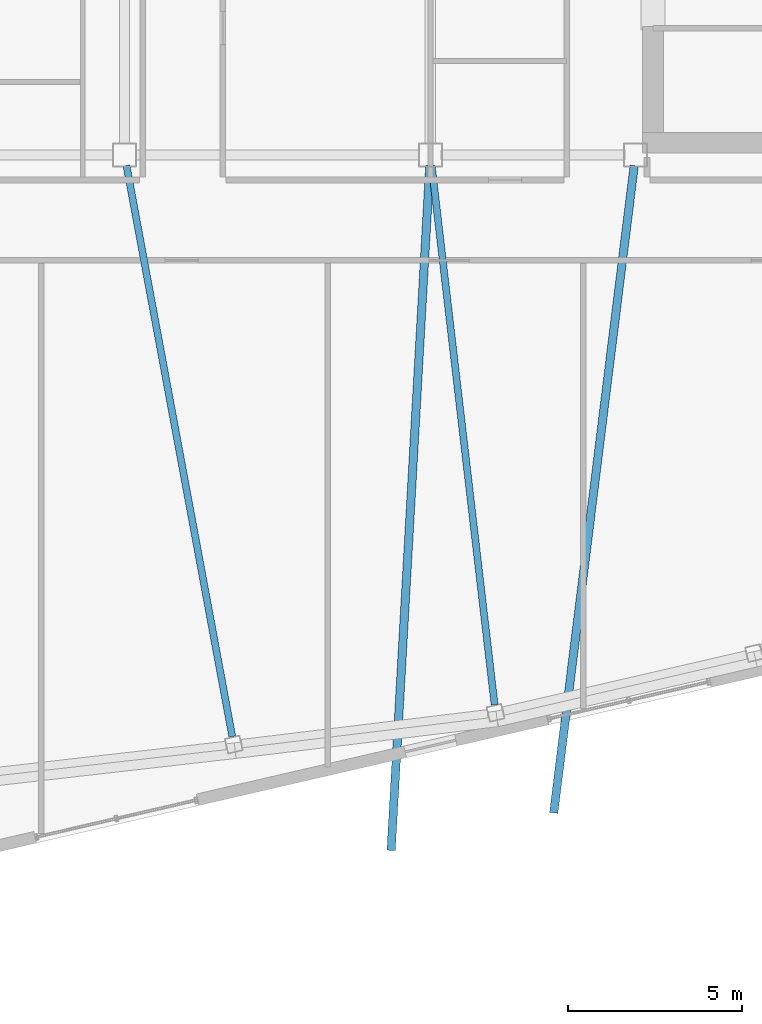
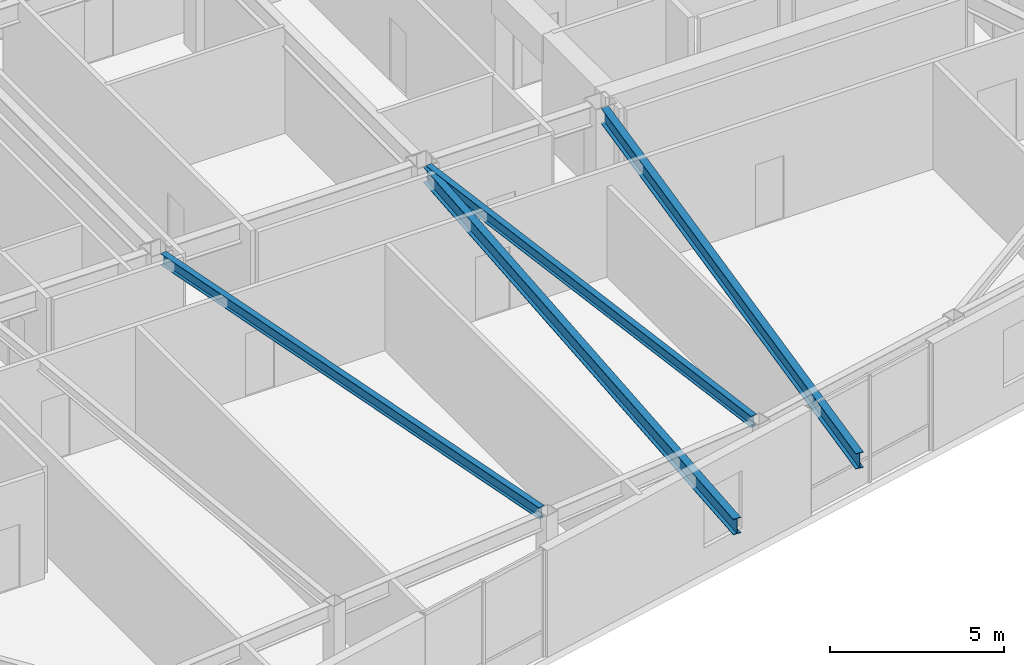
# One storey, part 9 of 24: 4 beams.
"""IFC4 building model written with IfcOpenShell, lengths in metres."""

from ifc_helpers import new_model, si_unit, direction, frame, origin, origin_2d, place, context, subcontext, project, spatial, i_section, extrude, material, material_profile, profile_set, type_object, element, save


model = new_model("IFC4")

# Units and contexts
model_context = context("Model", 3, precision=1e-05, world=origin(), true_north=direction((0.0, 1.0)))
body_context = subcontext(model_context, "Body", "Model", "MODEL_VIEW")
ifc_project = project(units=[si_unit("LENGTHUNIT", "METRE"), si_unit("AREAUNIT", "SQUARE_METRE"), si_unit("VOLUMEUNIT", "CUBIC_METRE"), si_unit("PLANEANGLEUNIT", "RADIAN"), si_unit("MASSUNIT", "GRAM", prefix="KILO")], contexts=[model_context])

# Site, building, storey
site_placement = place(None, origin())
site = spatial("IfcSite", under=ifc_project, at=site_placement, CompositionType="ELEMENT")
building_placement = place(site_placement, origin())
building = spatial("IfcBuilding", under=site, at=building_placement, Name="Tavrogorsk Clinical Tower", CompositionType="ELEMENT")
storey_placement = place(building_placement, frame((0.0, 0.0, 321.0)))
storey = spatial("IfcBuildingStorey", under=building, at=storey_placement, Name="L75", CompositionType="ELEMENT", Elevation=321.0)

# Beams
ifc_material_1 = material(Name="Structural steel S355", Category="steel")
ifc_material_profile_1 = material_profile(ifc_material_1, i_section(OverallWidth=0.199951171875, OverallDepth=0.39990234375, WebThickness=0.010498046875, FlangeThickness=0.01611328125, at=origin_2d()), Name="B-400x200x10.5x16")
ifc_profile_set_1 = profile_set([ifc_material_profile_1], Name="Structural steel S355")
beam_type_1 = type_object("IfcBeamType", Name="FloorBeam_B400", PredefinedType="BEAM", material=ifc_profile_set_1)
beam_1_placement = place(storey_placement, frame((-4.343505859375, -6.65478515625, 3.5400390625), z_axis=(0.182181887688, -0.98326484723, 0.0), x_axis=(0.98326484723, 0.182181887688, 0.0)))
element("IfcBeam", 1, at=beam_1_placement, inside=storey, type_object=beam_type_1, Name="L75 Radial Floor Beam S4", PredefinedType="BEAM", context=body_context, shape_type="SweptSolid", body=[
    extrude(i_section(OverallWidth=0.199951171875, OverallDepth=0.39990234375, WebThickness=0.010498046875, FlangeThickness=0.01611328125, at=origin_2d()), origin(), (0.0, 0.0, 1.0), 16.70556640625),
])
beam_2_placement = place(storey_placement, frame((4.43603515625, -6.657958984375, 3.5400390625), z_axis=(0.115903069025, -0.993260529061, 0.0), x_axis=(0.993260529061, 0.115903069025, 0.0)))
element("IfcBeam", 2, at=beam_2_placement, inside=storey, type_object=beam_type_1, Name="L75 Radial Floor Beam S5", PredefinedType="BEAM", context=body_context, shape_type="SweptSolid", body=[
    extrude(i_section(OverallWidth=0.199951171875, OverallDepth=0.39990234375, WebThickness=0.010498046875, FlangeThickness=0.01611328125, at=origin_2d()), origin(), (0.0, 0.0, 1.0), 15.61279296875),
])
ifc_material_2 = material(Name="Structural steel S390", Category="steel")
ifc_material_profile_2 = material_profile(ifc_material_2, i_section(OverallWidth=0.239990234375, OverallDepth=0.550048828125, WebThickness=0.013916015625, FlangeThickness=0.02197265625, at=origin_2d()), Name="B-550x240x14x22")
ifc_profile_set_2 = profile_set([ifc_material_profile_2], Name="Structural steel S390")
beam_type_2 = type_object("IfcBeamType", Name="SpandrelBeam_B550", PredefinedType="SPANDREL", material=ifc_profile_set_2)
beam_3_placement = place(storey_placement, frame((4.382568359375, -6.659423828125, 3.445068359375), z_axis=(-0.056461171168, -0.998404795737, 0.0), x_axis=(0.998404795737, -0.056461171168, 0.0)))
element("IfcBeam", 3, at=beam_3_placement, inside=storey, type_object=beam_type_2, Name="L76 Spiral Terrace Cantilever Beam 2", PredefinedType="SPANDREL", context=body_context, shape_type="SweptSolid", body=[
    extrude(i_section(OverallWidth=0.239990234375, OverallDepth=0.550048828125, WebThickness=0.013916015625, FlangeThickness=0.02197265625, at=origin_2d()), origin(), (0.0, 0.0, 1.0), 19.726318359375),
])
beam_4_placement = place(storey_placement, frame((10.26171875, -6.65771484375, 3.445068359375), z_axis=(-0.123448493271, -0.992350981009, 0.0), x_axis=(0.992350981009, -0.123448493271, 0.0)))
element("IfcBeam", 4, at=beam_4_placement, inside=storey, type_object=beam_type_2, Name="L76 Spiral Terrace Cantilever Beam 3", PredefinedType="SPANDREL", context=body_context, shape_type="SweptSolid", body=[
    extrude(i_section(OverallWidth=0.239990234375, OverallDepth=0.550048828125, WebThickness=0.013916015625, FlangeThickness=0.02197265625, at=origin_2d()), origin(), (0.0, 0.0, 1.0), 18.76025390625),
])

save(model, "model.ifc")
